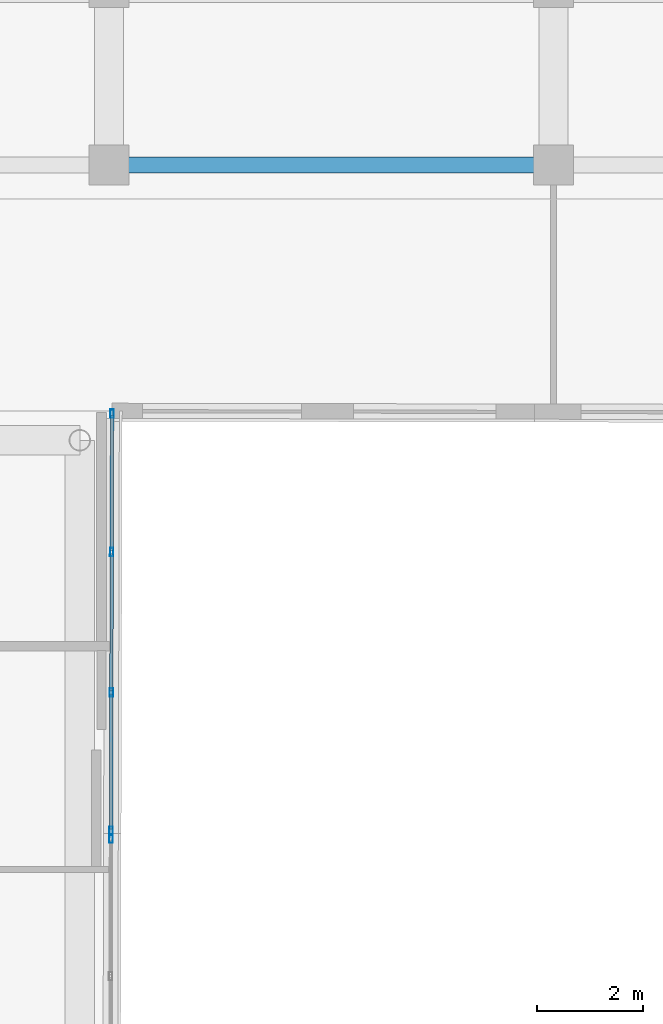
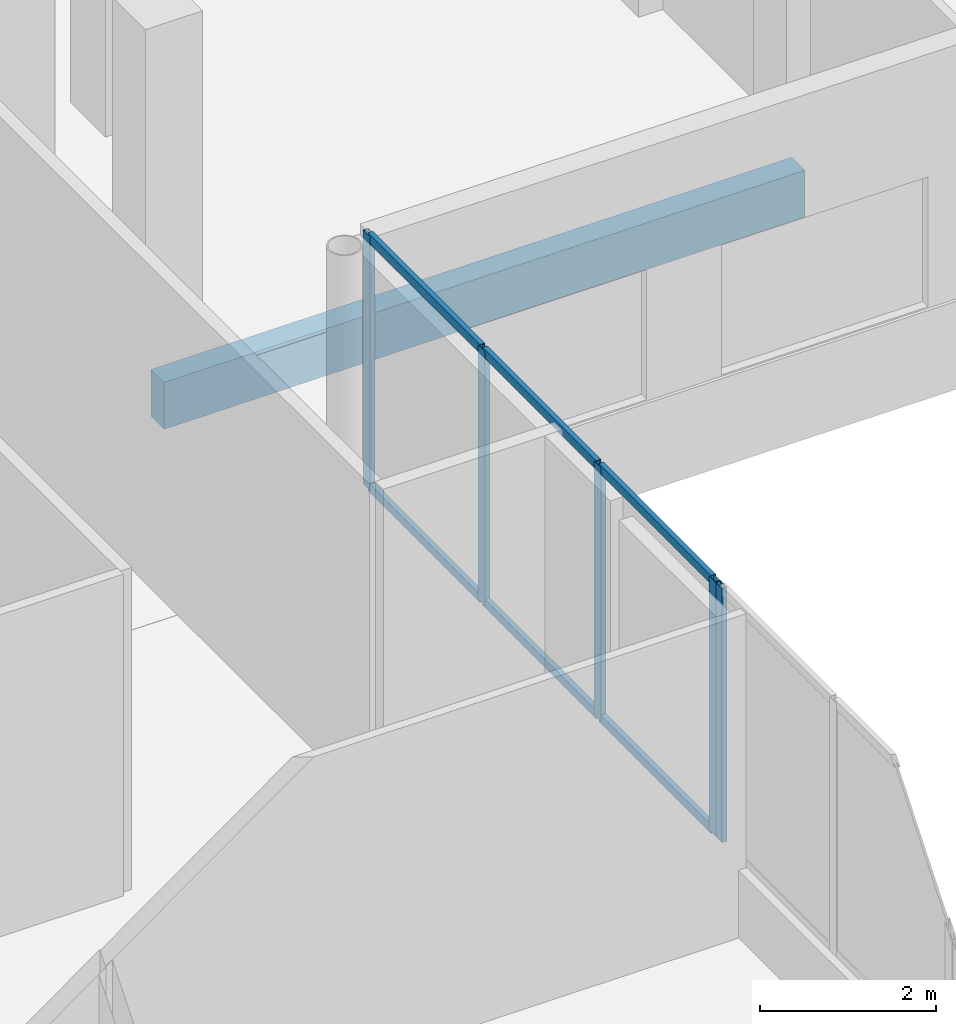
# One storey, part 77 of 155: 11 members, 1 beam, 2 elements without a shape of their own.
"""IFC4 building model written with IfcOpenShell, lengths in metres."""

import ifcopenshell
import ifcopenshell.guid

model = None  # the IFC model being written
_history = None  # IfcOwnerHistory: only IFC2X3 demands one
_inside = {}  # id of a spatial element -> (the spatial element, [elements in it])
_under = {}  # id of a project, library or spatial element -> (it, [spatial elements below it])
_declared = {}  # id of a project -> (the project, [libraries it declares])
_typed = {}  # id of a type object -> (the type object, [elements of that type])
_made_of = {}  # id of a material, layer set ... -> (it, [elements and type objects made of it])


def new_model(schema):
    """Start an empty IFC model of exactly this schema.

    Asked for "IFC4X3", IfcOpenShell would pick the latest addendum, in which some entities
    have other attributes; the version numbers below select the first issue.
    IFC2X3 requires an IfcOwnerHistory on every rooted entity: one is made here for all.
    """
    global model, _history
    if schema == "IFC4X3":
        model = ifcopenshell.file(schema_version=(4, 3, 0, 0))
    else:
        model = ifcopenshell.file(schema=schema)
    _inside.clear()
    _under.clear()
    _declared.clear()
    _typed.clear()
    _made_of.clear()
    _history = None
    if model.schema == "IFC2X3":
        org = make("IfcOrganization", Name="unknown")
        user = make(
            "IfcPersonAndOrganization",
            ThePerson=make("IfcPerson", FamilyName="unknown"),
            TheOrganization=org,
        )
        app = make(
            "IfcApplication",
            ApplicationDeveloper=org,
            Version="unknown",
            ApplicationFullName="unknown",
            ApplicationIdentifier="unknown",
        )
        _history = make(
            "IfcOwnerHistory",
            OwningUser=user,
            OwningApplication=app,
            ChangeAction="ADDED",
            CreationDate=0,
        )
    return model


def make(cls, **values):
    """One entity of the class cls with the attributes given. An attribute that is None is left unset."""
    return model.create_entity(
        cls, **{name: value for name, value in values.items() if value is not None}
    )


def rooted(cls, **values):
    """An entity with a GlobalId (a new one), such as an element, a storey or a relation."""
    return make(cls, GlobalId=ifcopenshell.guid.new(), OwnerHistory=_history, **values)


def si_unit(unit_type, name, prefix=None):
    """IfcSIUnit, for example si_unit("LENGTHUNIT", "METRE", prefix="MILLI")."""
    return make("IfcSIUnit", UnitType=unit_type, Prefix=prefix, Name=name)


def assignment(units):
    """IfcUnitAssignment: the units of a project."""
    return None if units is None else make("IfcUnitAssignment", Units=units)


def point(xyz):
    """IfcCartesianPoint."""
    return None if xyz is None else make("IfcCartesianPoint", Coordinates=xyz)


def direction(xyz):
    """IfcDirection."""
    return None if xyz is None else make("IfcDirection", DirectionRatios=xyz)


def frame(location, z_axis=None, x_axis=None):
    """IfcAxis2Placement3D, a coordinate frame: its origin and axes. An axis left out is left unset."""
    return make(
        "IfcAxis2Placement3D",
        Location=point(location),
        Axis=direction(z_axis),
        RefDirection=direction(x_axis),
    )


def frame_2d(location, x_axis=None):
    """IfcAxis2Placement2D, a coordinate frame in the plane: its origin and x axis."""
    return make(
        "IfcAxis2Placement2D", Location=point(location), RefDirection=direction(x_axis)
    )


def origin():
    """The frame at (0, 0, 0) with its axes left unset."""
    return frame((0.0, 0.0, 0.0))


def origin_2d():
    """The frame at (0, 0) in the plane with its x axis left unset."""
    return frame_2d((0.0, 0.0))


def place(relative_to, where):
    """IfcLocalPlacement: puts the frame where relative to a parent placement (None: the world)."""
    return make(
        "IfcLocalPlacement", PlacementRelTo=relative_to, RelativePlacement=where
    )


def context(
    kind, dimensions, precision=None, world=None, true_north=None, identifier=None
):
    """IfcGeometricRepresentationContext, for example the 3D "Model" context."""
    return make(
        "IfcGeometricRepresentationContext",
        ContextIdentifier=identifier,
        ContextType=kind,
        CoordinateSpaceDimension=dimensions,
        Precision=precision,
        WorldCoordinateSystem=world,
        TrueNorth=true_north,
    )


def subcontext(parent, identifier, kind, view, scale=None):
    """IfcGeometricRepresentationSubContext, for example "Body" below "Model"."""
    return make(
        "IfcGeometricRepresentationSubContext",
        ContextIdentifier=identifier,
        ContextType=kind,
        ParentContext=parent,
        TargetScale=scale,
        TargetView=view,
    )


def project(units=None, contexts=None):
    """IfcProject with its units and contexts."""
    return rooted(
        "IfcProject",
        Name="project",
        RepresentationContexts=contexts,
        UnitsInContext=assignment(units),
    )


def spatial(cls, under=None, at=None, **own):
    """A site, building, storey or space (cls), placed at a placement, below another one or the project."""
    s = rooted(cls, ObjectPlacement=at, **own)
    if under is not None:
        _under.setdefault(under.id(), (under, []))[1].append(s)
    return s


def profile(cls, at=None, kind="AREA", **sizes):
    """A parametric profile (cls). Its sizes go by their IFC names, for example OverallWidth=200.0."""
    return make(cls, ProfileType=kind, Position=at, **sizes)


def rectangle(**sizes):
    """IfcRectangleProfileDef."""
    return profile("IfcRectangleProfileDef", **sizes)


def hollow_rectangle(**sizes):
    """IfcRectangleHollowProfileDef."""
    return profile("IfcRectangleHollowProfileDef", **sizes)


def extrude(swept, where, along, depth):
    """IfcExtrudedAreaSolid: the profile swept, set in the frame where, extruded along a direction by depth."""
    return make(
        "IfcExtrudedAreaSolid",
        SweptArea=swept,
        Position=where,
        ExtrudedDirection=direction(along),
        Depth=depth,
    )


def shape(context_of_items, identifier, shape_type, items):
    """IfcShapeRepresentation: the items that make up one representation, for example the "Body"."""
    return make(
        "IfcShapeRepresentation",
        ContextOfItems=context_of_items,
        RepresentationIdentifier=identifier,
        RepresentationType=shape_type,
        Items=items,
    )


def material(Name=None, Category=None):
    """IfcMaterial."""
    return make("IfcMaterial", Name=Name, Category=Category)


def material_profile(
    of_material, cross_section, Name=None, Category=None, Priority=None
):
    """IfcMaterialProfile: a cross section and its material."""
    return make(
        "IfcMaterialProfile",
        Name=Name,
        Material=of_material,
        Profile=cross_section,
        Priority=Priority,
        Category=Category,
    )


def profile_set(profiles, Name=None, composite=None):
    """IfcMaterialProfileSet."""
    return make(
        "IfcMaterialProfileSet",
        Name=Name,
        MaterialProfiles=profiles,
        CompositeProfile=composite,
    )


def made_of(thing, what):
    """Note that an element or type object is made of a material, layer set ...; save() writes the relation."""
    if what is not None:
        _made_of.setdefault(what.id(), (what, []))[1].append(thing)
    return thing


def type_object(cls, material=None, **own):
    """A type object (cls), such as IfcWallType, which elements share."""
    return made_of(rooted(cls, **own), material)


def element(
    cls,
    number,
    at=None,
    inside=None,
    cuts=None,
    type_object=None,
    material=None,
    context=None,
    identifier="Body",
    shape_type=None,
    held_by="IfcProductDefinitionShape",
    body=None,
    shapes=None,
    **own,
):
    """One element of the class cls, such as IfcWall. Its Tag is "e" and its number.

    at: its placement. inside: the storey or other place that contains it. cuts: it is an
    opening in that element (IfcRelVoidsElement). A single representation is given by context,
    identifier, shape_type and body (its items); several are given by shapes. held_by: the class
    of the entity that holds the representations. save() writes the other relations.
    """
    e = rooted(cls, Tag="e%d" % number, ObjectPlacement=at, **own)
    if body is not None:
        shapes = [shape(context, identifier, shape_type, body)]
    if shapes is not None:
        e.Representation = make(held_by, Representations=shapes)
    if inside is not None:
        _inside.setdefault(inside.id(), (inside, []))[1].append(e)
    if cuts is not None:
        rooted(
            "IfcRelVoidsElement", RelatingBuildingElement=cuts, RelatedOpeningElement=e
        )
    if type_object is not None:
        _typed.setdefault(type_object.id(), (type_object, []))[1].append(e)
    return made_of(e, material)


def aggregate(whole, parts):
    """IfcRelAggregates: a whole, such as a stair, and the parts it consists of."""
    return rooted("IfcRelAggregates", RelatingObject=whole, RelatedObjects=parts)


def save(model, path):
    """Write the relations noted so far, then the file.

    IfcRelAggregates (storeys below a building ...), IfcRelContainedInSpatialStructure (elements
    in a storey), IfcRelDefinesByType, IfcRelAssociatesMaterial and IfcRelDeclares: one each for
    every whole, place, type object, material and project.
    """
    for whole, parts in _under.values():
        aggregate(whole, parts)
    for where, things in _inside.values():
        rooted(
            "IfcRelContainedInSpatialStructure",
            RelatedElements=things,
            RelatingStructure=where,
        )
    for kind, things in _typed.values():
        rooted("IfcRelDefinesByType", RelatedObjects=things, RelatingType=kind)
    for what, things in _made_of.values():
        rooted("IfcRelAssociatesMaterial", RelatedObjects=things, RelatingMaterial=what)
    for by, libraries in _declared.values():
        rooted("IfcRelDeclares", RelatingContext=by, RelatedDefinitions=libraries)
    model.write(path)


model = new_model("IFC4")

# Units and contexts
model_context = context("Model", 3, precision=1e-05, world=origin(), true_north=direction((0.0, 1.0)))
body_context = subcontext(model_context, "Body", "Model", "MODEL_VIEW")
ifc_project = project(units=[si_unit("LENGTHUNIT", "METRE"), si_unit("AREAUNIT", "SQUARE_METRE"), si_unit("VOLUMEUNIT", "CUBIC_METRE"), si_unit("PLANEANGLEUNIT", "RADIAN"), si_unit("MASSUNIT", "GRAM", prefix="KILO")], contexts=[model_context])

# Site, building, storey
site_placement = place(None, origin())
site = spatial("IfcSite", under=ifc_project, at=site_placement, CompositionType="ELEMENT")
building_placement = place(site_placement, origin())
building = spatial("IfcBuilding", under=site, at=building_placement, Name="Selatvlak General Hospital", CompositionType="ELEMENT")
storey_placement = place(building_placement, frame((0.0, 0.0, 10.199951171875)))
storey = spatial("IfcBuildingStorey", under=building, at=storey_placement, Name="L02", CompositionType="ELEMENT", Elevation=10.199951171875)

# Beam
ifc_material_1 = material(Name="Concrete C40/50", Category="concrete")
ifc_material_profile_1 = material_profile(ifc_material_1, rectangle(XDim=0.300048828125, YDim=0.64990234375, at=origin_2d()), Name="RC-SP 300x650")
ifc_profile_set_1 = profile_set([ifc_material_profile_1], Name="Concrete C40/50")
beam_type = type_object("IfcBeamType", Name="BM-SP1", PredefinedType="SPANDREL", material=ifc_profile_set_1)
beam_placement = place(storey_placement, frame((81.60009765625, 88.64990234375, -0.679931640625), z_axis=(1.0, 0.0, 0.0), x_axis=(0.0, 1.0, 0.0)))
element("IfcBeam", 1, at=beam_placement, inside=storey, type_object=beam_type, Name="Beam BMR-L02-0823", PredefinedType="SPANDREL", context=body_context, shape_type="SweptSolid", body=[
    extrude(rectangle(XDim=0.300048828125, YDim=0.64990234375, at=origin_2d()), origin(), (0.0, 0.0, 1.0), 8.39990234375),
])

# Curtain wall, members
ifc_material_2 = material(Name="Solar-control Low-E double glazing", Category="glass")
curtain_wall_type_1 = type_object("IfcCurtainWallType", Name="CW-CW-02", PredefinedType="USERDEFINED", material=ifc_material_2)
curtain_wall_1_placement = place(storey_placement, origin())
curtain_wall_1 = element("IfcCurtainWall", 2, at=curtain_wall_1_placement, inside=storey, type_object=curtain_wall_type_1, Name="Glazed facade curtain wall CW-L02-0357", ObjectType="UNITISED CURTAIN WALL", PredefinedType="USERDEFINED")
ifc_material_3 = material(Name="Dark anodised aluminium mullion", Category="aluminium")
ifc_material_profile_2 = material_profile(ifc_material_3, hollow_rectangle(XDim=0.06494140625, YDim=0.159912109375, WallThickness=0.00390625, at=origin_2d()), Name="AL-MUL 65x160x4")
ifc_profile_set_2 = profile_set([ifc_material_profile_2], Name="Dark anodised aluminium mullion")
member_type_1 = type_object("IfcMemberType", Name="CWM-01", PredefinedType="MULLION", material=ifc_profile_set_2)
member_1_placement = place(storey_placement, frame((81.659912109375, 83.952392578125, 0.93994140625), z_axis=(0.0, 0.0, 1.0), x_axis=(0.999996835583, -0.002515715314, 0.0)))
member_1 = element("IfcMember", 3, at=member_1_placement, type_object=member_type_1, Name="CW-02 mullion 1", PredefinedType="MULLION", context=body_context, shape_type="SweptSolid", body=[
    extrude(hollow_rectangle(XDim=0.06494140625, YDim=0.159912109375, WallThickness=0.00390625, at=origin_2d()), origin(), (0.0, 0.0, 1.0), 3.52001953125),
])
member_2_placement = place(storey_placement, frame((81.6533203125, 81.3349609375, 0.93994140625), z_axis=(0.0, 0.0, 1.0), x_axis=(0.999996835583, -0.002515715314, 0.0)))
member_2 = element("IfcMember", 4, at=member_2_placement, type_object=member_type_1, Name="CW-02 mullion 2", PredefinedType="MULLION", context=body_context, shape_type="SweptSolid", body=[
    extrude(hollow_rectangle(XDim=0.06494140625, YDim=0.159912109375, WallThickness=0.00390625, at=origin_2d()), origin(), (0.0, 0.0, 1.0), 3.52001953125),
])
member_3_placement = place(storey_placement, frame((81.646728515625, 78.68505859375, 0.93994140625), z_axis=(0.0, 0.0, 1.0), x_axis=(0.999996835583, -0.002515715314, 0.0)))
member_3 = element("IfcMember", 5, at=member_3_placement, type_object=member_type_1, Name="CW-02 mullion 3", PredefinedType="MULLION", context=body_context, shape_type="SweptSolid", body=[
    extrude(hollow_rectangle(XDim=0.06494140625, YDim=0.159912109375, WallThickness=0.00390625, at=origin_2d()), origin(), (0.0, 0.0, 1.0), 3.52001953125),
])
member_4_placement = place(storey_placement, frame((81.64013671875, 76.0673828125, 0.93994140625), z_axis=(0.0, 0.0, 1.0), x_axis=(0.999996835583, -0.002515715314, 0.0)))
member_4 = element("IfcMember", 6, at=member_4_placement, type_object=member_type_1, Name="CW-02 mullion 4", PredefinedType="MULLION", context=body_context, shape_type="SweptSolid", body=[
    extrude(hollow_rectangle(XDim=0.06494140625, YDim=0.159912109375, WallThickness=0.00390625, at=origin_2d()), origin(), (0.0, 0.0, 1.0), 3.52001953125),
])

# Curtain wall, member
curtain_wall_type_2 = type_object("IfcCurtainWallType", Name="CW-CW-01", PredefinedType="USERDEFINED", material=ifc_material_2)
curtain_wall_2_placement = place(storey_placement, origin())
curtain_wall_2 = element("IfcCurtainWall", 7, at=curtain_wall_2_placement, inside=storey, type_object=curtain_wall_type_2, Name="Glazed facade curtain wall CW-L02-0358", ObjectType="UNITISED CURTAIN WALL", PredefinedType="USERDEFINED")
member_5_placement = place(storey_placement, frame((81.639892578125, 75.922607421875, 0.93994140625), z_axis=(0.0, 0.0, 1.0), x_axis=(0.999996795401, -0.002531637448, 0.0)))
member_5 = element("IfcMember", 8, at=member_5_placement, type_object=member_type_1, Name="CW-01 mullion 1", PredefinedType="MULLION", context=body_context, shape_type="SweptSolid", body=[
    extrude(hollow_rectangle(XDim=0.06494140625, YDim=0.159912109375, WallThickness=0.00390625, at=origin_2d()), origin(), (0.0, 0.0, 1.0), 3.52001953125),
])
aggregate(curtain_wall_2, [member_5])

# Member
ifc_material_profile_3 = material_profile(ifc_material_3, hollow_rectangle(XDim=0.06494140625, YDim=0.1201171875, WallThickness=0.00390625, at=origin_2d()), Name="AL-TRN 65x120x4")
ifc_profile_set_3 = profile_set([ifc_material_profile_3], Name="Dark anodised aluminium mullion")
member_type_2 = type_object("IfcMemberType", Name="CWT-01", PredefinedType="USERDEFINED", material=ifc_profile_set_3)
member_6_placement = place(storey_placement, frame((81.659912109375, 83.919921875, 0.97265625), z_axis=(-0.002582487802, -0.999996665373, 0.0), x_axis=(0.999996665373, -0.002582487802, 0.0)))
member_6 = element("IfcMember", 9, at=member_6_placement, type_object=member_type_2, Name="CW-02 transom 1.1", ObjectType="TRANSOM", PredefinedType="USERDEFINED", context=body_context, shape_type="SweptSolid", body=[
    extrude(hollow_rectangle(XDim=0.06494140625, YDim=0.1201171875, WallThickness=0.00390625, at=origin_2d()), origin(), (0.0, 0.0, 1.0), 2.552490234375),
])

member_7_placement = place(storey_placement, frame((81.659912109375, 83.919921875, 4.427490234375), z_axis=(-0.002582487802, -0.999996665373, 0.0), x_axis=(0.999996665373, -0.002582487802, 0.0)))
member_7 = element("IfcMember", 10, at=member_7_placement, type_object=member_type_2, Name="CW-02 transom 1.2", ObjectType="TRANSOM", PredefinedType="USERDEFINED", context=body_context, shape_type="SweptSolid", body=[
    extrude(hollow_rectangle(XDim=0.06494140625, YDim=0.1201171875, WallThickness=0.00390625, at=origin_2d()), origin(), (0.0, 0.0, 1.0), 2.552490234375),
])

member_8_placement = place(storey_placement, frame((81.6533203125, 81.302490234375, 0.97265625), z_axis=(-0.002550048377, -0.999996748621, 0.0), x_axis=(0.999996748621, -0.002550048377, 0.0)))
member_8 = element("IfcMember", 11, at=member_8_placement, type_object=member_type_2, Name="CW-02 transom 2.1", ObjectType="TRANSOM", PredefinedType="USERDEFINED", context=body_context, shape_type="SweptSolid", body=[
    extrude(hollow_rectangle(XDim=0.06494140625, YDim=0.1201171875, WallThickness=0.00390625, at=origin_2d()), origin(), (0.0, 0.0, 1.0), 2.5849609375),
])

member_9_placement = place(storey_placement, frame((81.6533203125, 81.302490234375, 4.427490234375), z_axis=(-0.002550048377, -0.999996748621, 0.0), x_axis=(0.999996748621, -0.002550048377, 0.0)))
member_9 = element("IfcMember", 12, at=member_9_placement, type_object=member_type_2, Name="CW-02 transom 2.2", ObjectType="TRANSOM", PredefinedType="USERDEFINED", context=body_context, shape_type="SweptSolid", body=[
    extrude(hollow_rectangle(XDim=0.06494140625, YDim=0.1201171875, WallThickness=0.00390625, at=origin_2d()), origin(), (0.0, 0.0, 1.0), 2.5849609375),
])

member_10_placement = place(storey_placement, frame((81.646484375, 78.652587890625, 0.97265625), z_axis=(-0.002486840708, -0.999996907807, 0.0), x_axis=(0.999996907807, -0.002486840708, 0.0)))
member_10 = element("IfcMember", 13, at=member_10_placement, type_object=member_type_2, Name="CW-02 transom 3.1", ObjectType="TRANSOM", PredefinedType="USERDEFINED", context=body_context, shape_type="SweptSolid", body=[
    extrude(hollow_rectangle(XDim=0.06494140625, YDim=0.1201171875, WallThickness=0.00390625, at=origin_2d()), origin(), (0.0, 0.0, 1.0), 2.552490234375),
])

member_11_placement = place(storey_placement, frame((81.646484375, 78.652587890625, 4.427490234375), z_axis=(-0.002486840708, -0.999996907807, 0.0), x_axis=(0.999996907807, -0.002486840708, 0.0)))
member_11 = element("IfcMember", 14, at=member_11_placement, type_object=member_type_2, Name="CW-02 transom 3.2", ObjectType="TRANSOM", PredefinedType="USERDEFINED", context=body_context, shape_type="SweptSolid", body=[
    extrude(hollow_rectangle(XDim=0.06494140625, YDim=0.1201171875, WallThickness=0.00390625, at=origin_2d()), origin(), (0.0, 0.0, 1.0), 2.552490234375),
])

aggregate(curtain_wall_1, [member_1, member_2, member_3, member_4, member_6, member_7, member_8, member_9, member_10, member_11])

save(model, "model.ifc")
